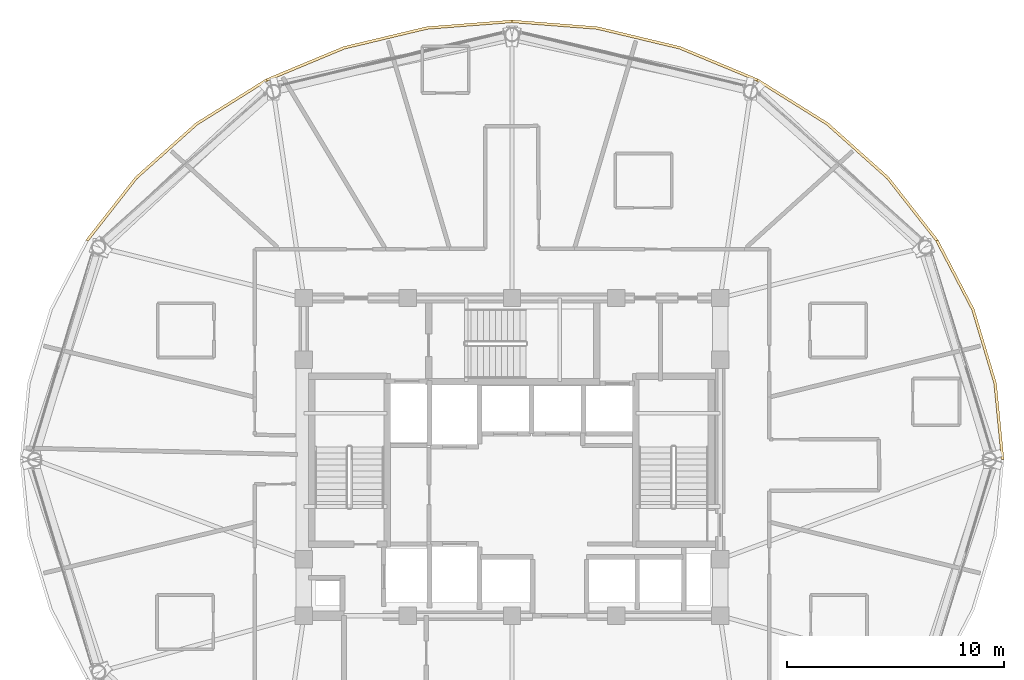
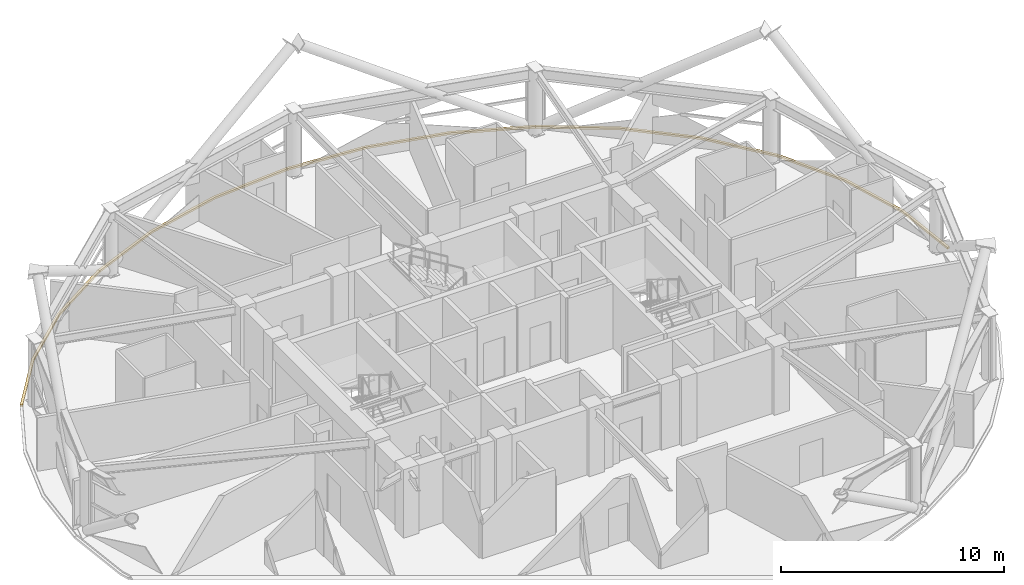
# One storey, part 29 of 29: 5 coverings.
"""IFC4 building model written with IfcOpenShell, lengths in metres."""

import ifcopenshell
import ifcopenshell.guid

model = None  # the IFC model being written
_history = None  # IfcOwnerHistory: only IFC2X3 demands one
_inside = {}  # id of a spatial element -> (the spatial element, [elements in it])
_under = {}  # id of a project, library or spatial element -> (it, [spatial elements below it])
_declared = {}  # id of a project -> (the project, [libraries it declares])
_typed = {}  # id of a type object -> (the type object, [elements of that type])
_made_of = {}  # id of a material, layer set ... -> (it, [elements and type objects made of it])


def new_model(schema):
    """Start an empty IFC model of exactly this schema.

    Asked for "IFC4X3", IfcOpenShell would pick the latest addendum, in which some entities
    have other attributes; the version numbers below select the first issue.
    IFC2X3 requires an IfcOwnerHistory on every rooted entity: one is made here for all.
    """
    global model, _history
    if schema == "IFC4X3":
        model = ifcopenshell.file(schema_version=(4, 3, 0, 0))
    else:
        model = ifcopenshell.file(schema=schema)
    _inside.clear()
    _under.clear()
    _declared.clear()
    _typed.clear()
    _made_of.clear()
    _history = None
    if model.schema == "IFC2X3":
        org = make("IfcOrganization", Name="unknown")
        user = make(
            "IfcPersonAndOrganization",
            ThePerson=make("IfcPerson", FamilyName="unknown"),
            TheOrganization=org,
        )
        app = make(
            "IfcApplication",
            ApplicationDeveloper=org,
            Version="unknown",
            ApplicationFullName="unknown",
            ApplicationIdentifier="unknown",
        )
        _history = make(
            "IfcOwnerHistory",
            OwningUser=user,
            OwningApplication=app,
            ChangeAction="ADDED",
            CreationDate=0,
        )
    return model


def make(cls, **values):
    """One entity of the class cls with the attributes given. An attribute that is None is left unset."""
    return model.create_entity(
        cls, **{name: value for name, value in values.items() if value is not None}
    )


def rooted(cls, **values):
    """An entity with a GlobalId (a new one), such as an element, a storey or a relation."""
    return make(cls, GlobalId=ifcopenshell.guid.new(), OwnerHistory=_history, **values)


def si_unit(unit_type, name, prefix=None):
    """IfcSIUnit, for example si_unit("LENGTHUNIT", "METRE", prefix="MILLI")."""
    return make("IfcSIUnit", UnitType=unit_type, Prefix=prefix, Name=name)


def assignment(units):
    """IfcUnitAssignment: the units of a project."""
    return None if units is None else make("IfcUnitAssignment", Units=units)


def point(xyz):
    """IfcCartesianPoint."""
    return None if xyz is None else make("IfcCartesianPoint", Coordinates=xyz)


def direction(xyz):
    """IfcDirection."""
    return None if xyz is None else make("IfcDirection", DirectionRatios=xyz)


def frame(location, z_axis=None, x_axis=None):
    """IfcAxis2Placement3D, a coordinate frame: its origin and axes. An axis left out is left unset."""
    return make(
        "IfcAxis2Placement3D",
        Location=point(location),
        Axis=direction(z_axis),
        RefDirection=direction(x_axis),
    )


def origin():
    """The frame at (0, 0, 0) with its axes left unset."""
    return frame((0.0, 0.0, 0.0))


def place(relative_to, where):
    """IfcLocalPlacement: puts the frame where relative to a parent placement (None: the world)."""
    return make(
        "IfcLocalPlacement", PlacementRelTo=relative_to, RelativePlacement=where
    )


def context(
    kind, dimensions, precision=None, world=None, true_north=None, identifier=None
):
    """IfcGeometricRepresentationContext, for example the 3D "Model" context."""
    return make(
        "IfcGeometricRepresentationContext",
        ContextIdentifier=identifier,
        ContextType=kind,
        CoordinateSpaceDimension=dimensions,
        Precision=precision,
        WorldCoordinateSystem=world,
        TrueNorth=true_north,
    )


def subcontext(parent, identifier, kind, view, scale=None):
    """IfcGeometricRepresentationSubContext, for example "Body" below "Model"."""
    return make(
        "IfcGeometricRepresentationSubContext",
        ContextIdentifier=identifier,
        ContextType=kind,
        ParentContext=parent,
        TargetScale=scale,
        TargetView=view,
    )


def project(units=None, contexts=None):
    """IfcProject with its units and contexts."""
    return rooted(
        "IfcProject",
        Name="project",
        RepresentationContexts=contexts,
        UnitsInContext=assignment(units),
    )


def spatial(cls, under=None, at=None, **own):
    """A site, building, storey or space (cls), placed at a placement, below another one or the project."""
    s = rooted(cls, ObjectPlacement=at, **own)
    if under is not None:
        _under.setdefault(under.id(), (under, []))[1].append(s)
    return s


def polyline(points):
    """IfcPolyline through the points."""
    return make("IfcPolyline", Points=[point(p) for p in points])


def outline(outer, holes=None, kind="AREA"):
    """IfcArbitraryClosedProfileDef: a profile drawn as a closed curve; with holes, ...WithVoids."""
    if holes is None:
        return make("IfcArbitraryClosedProfileDef", ProfileType=kind, OuterCurve=outer)
    return make(
        "IfcArbitraryProfileDefWithVoids",
        ProfileType=kind,
        OuterCurve=outer,
        InnerCurves=holes,
    )


def extrude(swept, where, along, depth):
    """IfcExtrudedAreaSolid: the profile swept, set in the frame where, extruded along a direction by depth."""
    return make(
        "IfcExtrudedAreaSolid",
        SweptArea=swept,
        Position=where,
        ExtrudedDirection=direction(along),
        Depth=depth,
    )


def shape(context_of_items, identifier, shape_type, items):
    """IfcShapeRepresentation: the items that make up one representation, for example the "Body"."""
    return make(
        "IfcShapeRepresentation",
        ContextOfItems=context_of_items,
        RepresentationIdentifier=identifier,
        RepresentationType=shape_type,
        Items=items,
    )


def material(Name=None, Category=None):
    """IfcMaterial."""
    return make("IfcMaterial", Name=Name, Category=Category)


def layer(
    of_material, thickness, ventilated=None, Name=None, Category=None, Priority=None
):
    """IfcMaterialLayer: one layer of a wall or slab, of a material (None: an air gap)."""
    return make(
        "IfcMaterialLayer",
        Material=of_material,
        LayerThickness=thickness,
        IsVentilated=ventilated,
        Name=Name,
        Category=Category,
        Priority=Priority,
    )


def layer_set(layers, Name=None):
    """IfcMaterialLayerSet."""
    return make("IfcMaterialLayerSet", MaterialLayers=layers, LayerSetName=Name)


def made_of(thing, what):
    """Note that an element or type object is made of a material, layer set ...; save() writes the relation."""
    if what is not None:
        _made_of.setdefault(what.id(), (what, []))[1].append(thing)
    return thing


def type_object(cls, material=None, **own):
    """A type object (cls), such as IfcWallType, which elements share."""
    return made_of(rooted(cls, **own), material)


def element(
    cls,
    number,
    at=None,
    inside=None,
    cuts=None,
    type_object=None,
    material=None,
    context=None,
    identifier="Body",
    shape_type=None,
    held_by="IfcProductDefinitionShape",
    body=None,
    shapes=None,
    **own,
):
    """One element of the class cls, such as IfcWall. Its Tag is "e" and its number.

    at: its placement. inside: the storey or other place that contains it. cuts: it is an
    opening in that element (IfcRelVoidsElement). A single representation is given by context,
    identifier, shape_type and body (its items); several are given by shapes. held_by: the class
    of the entity that holds the representations. save() writes the other relations.
    """
    e = rooted(cls, Tag="e%d" % number, ObjectPlacement=at, **own)
    if body is not None:
        shapes = [shape(context, identifier, shape_type, body)]
    if shapes is not None:
        e.Representation = make(held_by, Representations=shapes)
    if inside is not None:
        _inside.setdefault(inside.id(), (inside, []))[1].append(e)
    if cuts is not None:
        rooted(
            "IfcRelVoidsElement", RelatingBuildingElement=cuts, RelatedOpeningElement=e
        )
    if type_object is not None:
        _typed.setdefault(type_object.id(), (type_object, []))[1].append(e)
    return made_of(e, material)


def aggregate(whole, parts):
    """IfcRelAggregates: a whole, such as a stair, and the parts it consists of."""
    return rooted("IfcRelAggregates", RelatingObject=whole, RelatedObjects=parts)


def save(model, path):
    """Write the relations noted so far, then the file.

    IfcRelAggregates (storeys below a building ...), IfcRelContainedInSpatialStructure (elements
    in a storey), IfcRelDefinesByType, IfcRelAssociatesMaterial and IfcRelDeclares: one each for
    every whole, place, type object, material and project.
    """
    for whole, parts in _under.values():
        aggregate(whole, parts)
    for where, things in _inside.values():
        rooted(
            "IfcRelContainedInSpatialStructure",
            RelatedElements=things,
            RelatingStructure=where,
        )
    for kind, things in _typed.values():
        rooted("IfcRelDefinesByType", RelatedObjects=things, RelatingType=kind)
    for what, things in _made_of.values():
        rooted("IfcRelAssociatesMaterial", RelatedObjects=things, RelatingMaterial=what)
    for by, libraries in _declared.values():
        rooted("IfcRelDeclares", RelatingContext=by, RelatedDefinitions=libraries)
    model.write(path)


model = new_model("IFC4")

# Units and contexts
model_context = context("Model", 3, precision=1e-05, world=origin(), true_north=direction((0.0, 1.0)))
body_context = subcontext(model_context, "Body", "Model", "MODEL_VIEW")
ifc_project = project(units=[si_unit("LENGTHUNIT", "METRE"), si_unit("AREAUNIT", "SQUARE_METRE"), si_unit("VOLUMEUNIT", "CUBIC_METRE"), si_unit("PLANEANGLEUNIT", "RADIAN"), si_unit("MASSUNIT", "GRAM", prefix="KILO")], contexts=[model_context])

# Site, building, storey
site_placement = place(None, origin())
site = spatial("IfcSite", under=ifc_project, at=site_placement, CompositionType="ELEMENT")
building_placement = place(site_placement, origin())
building = spatial("IfcBuilding", under=site, at=building_placement, Name="Vantalir Tower", CompositionType="ELEMENT")
storey_placement = place(building_placement, frame((0.0, 0.0, 227.39990234375)))
storey = spatial("IfcBuildingStorey", under=building, at=storey_placement, Name="L57", CompositionType="ELEMENT", Elevation=227.39990234375)

# Coverings
ifc_material = material(Name="Anodised champagne aluminium sill fascia", Category="aluminium")
ifc_layer = layer(ifc_material, 0.125)
ifc_layer_set = layer_set([ifc_layer], Name="Anodised champagne aluminium sill fascia")
covering_type = type_object("IfcCoveringType", Name="COV-SLAB-FASCIA-125", PredefinedType="CLADDING", material=ifc_layer_set)
covering_1_placement = place(storey_placement, frame((0.0, 0.0, -0.179931640625)))
element("IfcCovering", 1, at=covering_1_placement, inside=storey, type_object=covering_type, Name="L57 Perimeter Slab-Edge Sill Fascia 01", PredefinedType="CLADDING", context=body_context, shape_type="SweptSolid", body=[
    extrude(outline(polyline([(54.18798828125, 25.0), (53.843017578125, 28.52001953125), (52.820068359375, 31.93310546875), (51.14794921875, 35.135009765625), (51.0400390625, 35.072998046875), (52.701904296875, 31.889892578125), (53.719970703125, 28.498046875), (54.06298828125, 25.0), (54.18798828125, 25.0)])), origin(), (0.0, 0.0, 1.0), 0.10498046875),
])
covering_2_placement = place(storey_placement, frame((0.0, 0.0, -0.179931640625)))
element("IfcCovering", 2, at=covering_2_placement, inside=storey, type_object=covering_type, Name="L57 Perimeter Slab-Edge Sill Fascia 02", PredefinedType="CLADDING", context=body_context, shape_type="SweptSolid", body=[
    extrude(outline(polyline([(51.14794921875, 35.135009765625), (48.8798828125, 38.030029296875), (46.083984375, 40.528076171875), (42.843994140625, 42.554931640625), (42.781982421875, 42.447021484375), (46.0029296875, 40.43310546875), (48.783935546875, 37.949951171875), (51.0400390625, 35.072998046875), (51.14794921875, 35.135009765625)])), origin(), (0.0, 0.0, 1.0), 0.10498046875),
])
covering_3_placement = place(storey_placement, frame((0.0, 0.0, -0.179931640625)))
element("IfcCovering", 3, at=covering_3_placement, inside=storey, type_object=covering_type, Name="L57 Perimeter Slab-Edge Sill Fascia 03", PredefinedType="CLADDING", context=body_context, shape_type="SweptSolid", body=[
    extrude(outline(polyline([(42.843994140625, 42.554931640625), (39.260009765625, 44.049072265625), (35.43994140625, 44.962890625), (31.5, 45.27099609375), (31.5, 45.14599609375), (35.41796875, 44.840087890625), (39.217041015625, 43.930908203125), (42.781982421875, 42.447021484375), (42.843994140625, 42.554931640625)])), origin(), (0.0, 0.0, 1.0), 0.10498046875),
])
covering_4_placement = place(storey_placement, frame((0.0, 0.0, -0.179931640625)))
element("IfcCovering", 4, at=covering_4_placement, inside=storey, type_object=covering_type, Name="L57 Perimeter Slab-Edge Sill Fascia 04", PredefinedType="CLADDING", context=body_context, shape_type="SweptSolid", body=[
    extrude(outline(polyline([(31.5, 45.27099609375), (27.56005859375, 44.962890625), (23.739990234375, 44.049072265625), (20.156005859375, 42.554931640625), (20.218994140625, 42.447021484375), (23.782958984375, 43.930908203125), (27.58203125, 44.840087890625), (31.5, 45.14599609375), (31.5, 45.27099609375)])), origin(), (0.0, 0.0, 1.0), 0.10498046875),
])
covering_5_placement = place(storey_placement, frame((0.0, 0.0, -0.179931640625)))
element("IfcCovering", 5, at=covering_5_placement, inside=storey, type_object=covering_type, Name="L57 Perimeter Slab-Edge Sill Fascia 05", PredefinedType="CLADDING", context=body_context, shape_type="SweptSolid", body=[
    extrude(outline(polyline([(20.156005859375, 42.554931640625), (16.916015625, 40.528076171875), (14.1201171875, 38.030029296875), (11.85205078125, 35.135009765625), (11.9599609375, 35.072998046875), (14.216064453125, 37.949951171875), (16.9970703125, 40.43310546875), (20.218994140625, 42.447021484375), (20.156005859375, 42.554931640625)])), origin(), (0.0, 0.0, 1.0), 0.10498046875),
])

save(model, "model.ifc")
